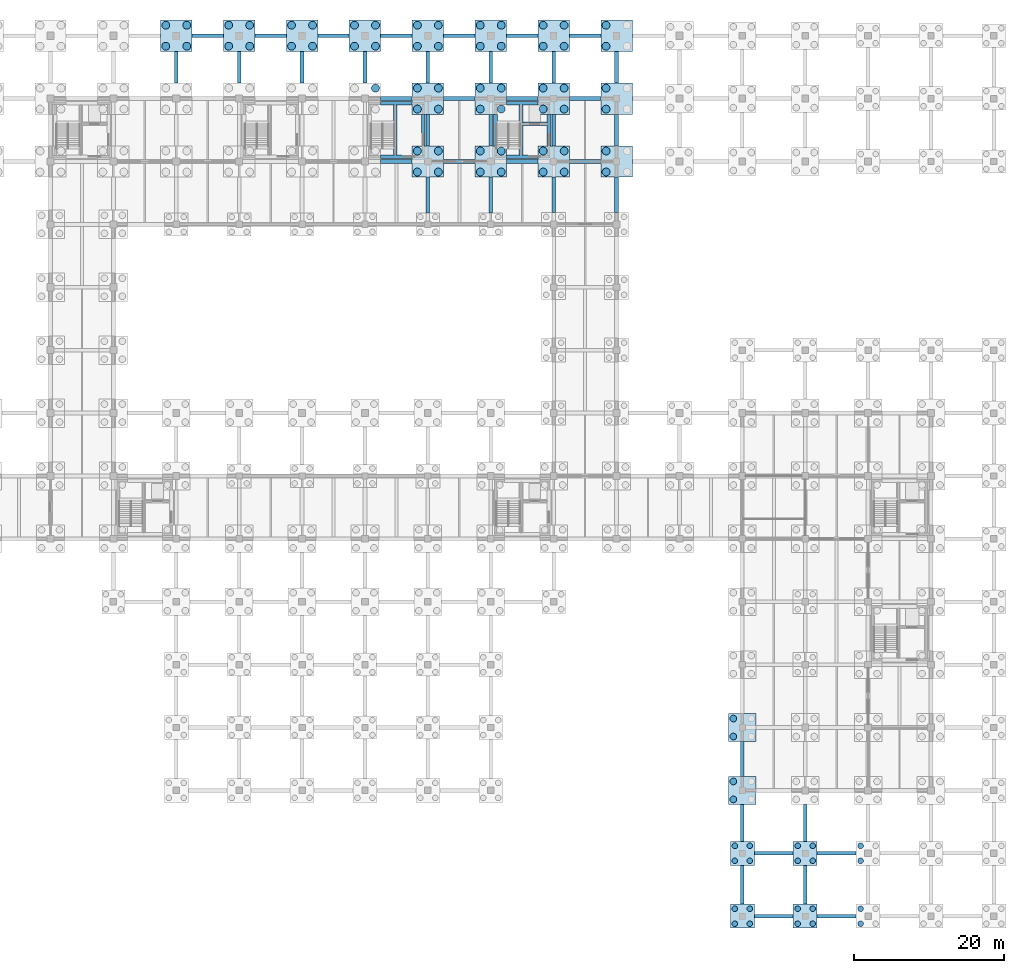
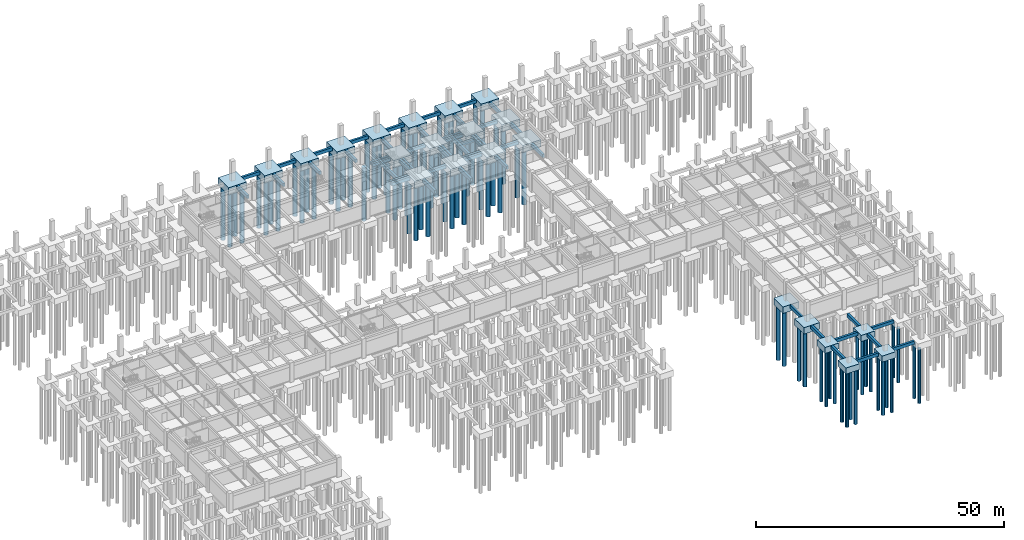
# One storey, part 8 of 29: 83 piles, 72 footings.
"""IFC4 building model written with IfcOpenShell, lengths in metres."""

from ifc_helpers import new_model, si_unit, direction, frame, origin, origin_2d, place, context, subcontext, project, spatial, rectangle, circle, extrude, material, material_profile, profile_set, type_object, element, save


model = new_model("IFC4")

# Units and contexts
model_context = context("Model", 3, precision=1e-05, world=origin(), true_north=direction((0.0, 1.0)))
body_context = subcontext(model_context, "Body", "Model", "MODEL_VIEW")
ifc_project = project(units=[si_unit("LENGTHUNIT", "METRE"), si_unit("AREAUNIT", "SQUARE_METRE"), si_unit("VOLUMEUNIT", "CUBIC_METRE"), si_unit("PLANEANGLEUNIT", "RADIAN"), si_unit("MASSUNIT", "GRAM", prefix="KILO")], contexts=[model_context])

# Site, building, storey
site_placement = place(None, origin())
site = spatial("IfcSite", under=ifc_project, at=site_placement, CompositionType="ELEMENT")
building_placement = place(site_placement, origin())
building = spatial("IfcBuilding", under=site, at=building_placement, Name="Porcellanite Civic Hall", CompositionType="ELEMENT")
storey_placement = place(building_placement, frame((0.0, 0.0, -4.5)))
storey = spatial("IfcBuildingStorey", under=building, at=storey_placement, Name="B1", CompositionType="ELEMENT", Elevation=-4.5)

# Footings
ifc_material_1 = material(Name="Concrete N40 (40 MPa)", Category="concrete")
ifc_material_profile_1 = material_profile(ifc_material_1, rectangle(XDim=0.5, YDim=0.800048828125, at=origin_2d()), Name="RC-500x800")
ifc_profile_set_1 = profile_set([ifc_material_profile_1], Name="Concrete N40 (40 MPa)")
footing_type_1 = type_object("IfcFootingType", Name="GB-01", PredefinedType="FOOTING_BEAM", material=ifc_profile_set_1)
for number, where, z_axis, x_axis, name in (
    (1, (67.199951171875, 111.300048828125, -0.75), (0.0, 1.0, 0.0), (-1.0, 0.0, 0.0), "Ground tie beam B1 8-13 Y"),
    (2, (69.300048828125, 117.60009765625, -0.75), (1.0, 0.0, 0.0), (0.0, 1.0, 0.0), "Ground tie beam B1 8-14 X"),
    (3, (75.60009765625, 111.300048828125, -0.75), (0.0, 1.0, 0.0), (-1.0, 0.0, 0.0), "Ground tie beam B1 9-13 Y"),
    (4, (77.699951171875, 117.60009765625, -0.75), (1.0, 0.0, 0.0), (0.0, 1.0, 0.0), "Ground tie beam B1 9-14 X"),
    (5, (84.0, 111.300048828125, -0.75), (0.0, 1.0, 0.0), (-1.0, 0.0, 0.0), "Ground tie beam B1 10-13 Y"),
    (6, (86.10009765625, 117.60009765625, -0.75), (1.0, 0.0, 0.0), (0.0, 1.0, 0.0), "Ground tie beam B1 10-14 X"),
    (7, (94.5, 100.800048828125, -0.75), (1.0, 0.0, 0.0), (0.0, 1.0, 0.0), "Ground tie beam B1 11-12 X"),
    (8, (94.5, 109.199951171875, -0.75), (1.0, 0.0, 0.0), (0.0, 1.0, 0.0), "Ground tie beam B1 11-13 X"),
    (9, (92.39990234375, 111.300048828125, -0.75), (0.0, 1.0, 0.0), (-1.0, 0.0, 0.0), "Ground tie beam B1 11-13 Y"),
    (10, (94.5, 117.60009765625, -0.75), (1.0, 0.0, 0.0), (0.0, 1.0, 0.0), "Ground tie beam B1 11-14 X"),
):
    element("IfcFooting", number, at=place(storey_placement, frame(where, z_axis=z_axis, x_axis=x_axis)), inside=storey, type_object=footing_type_1, Name=name, PredefinedType="FOOTING_BEAM", context=body_context, shape_type="SweptSolid", body=[
        extrude(rectangle(XDim=0.5, YDim=0.800048828125, at=origin_2d()), origin(), (0.0, 0.0, 1.0), 4.199951171875),
    ])
footing_1_placement = place(storey_placement, frame((100.800048828125, 93.949951171875, -0.75), z_axis=(0.0, 1.0, 0.0), x_axis=(-1.0, 0.0, 0.0)))
element("IfcFooting", 11, at=footing_1_placement, inside=storey, type_object=footing_type_1, Name="Ground tie beam B1 12-11 Y", PredefinedType="FOOTING_BEAM", context=body_context, shape_type="SweptSolid", body=[
    extrude(rectangle(XDim=0.5, YDim=0.800048828125, at=origin_2d()), origin(), (0.0, 0.0, 1.0), 4.75),
])
for number, where, z_axis, x_axis, name in (
    (12, (102.89990234375, 100.800048828125, -0.75), (1.0, 0.0, 0.0), (0.0, 1.0, 0.0), "Ground tie beam B1 12-12 X"),
    (13, (100.800048828125, 102.89990234375, -0.75), (0.0, 1.0, 0.0), (-1.0, 0.0, 0.0), "Ground tie beam B1 12-12 Y"),
    (14, (102.89990234375, 109.199951171875, -0.75), (1.0, 0.0, 0.0), (0.0, 1.0, 0.0), "Ground tie beam B1 12-13 X"),
):
    element("IfcFooting", number, at=place(storey_placement, frame(where, z_axis=z_axis, x_axis=x_axis)), inside=storey, type_object=footing_type_1, Name=name, PredefinedType="FOOTING_BEAM", context=body_context, shape_type="SweptSolid", body=[
        extrude(rectangle(XDim=0.5, YDim=0.800048828125, at=origin_2d()), origin(), (0.0, 0.0, 1.0), 4.2001953125),
    ])
footing_2_placement = place(storey_placement, frame((100.800048828125, 111.300048828125, -0.75), z_axis=(0.0, 1.0, 0.0), x_axis=(-1.0, 0.0, 0.0)))
element("IfcFooting", 15, at=footing_2_placement, inside=storey, type_object=footing_type_1, Name="Ground tie beam B1 12-13 Y", PredefinedType="FOOTING_BEAM", context=body_context, shape_type="SweptSolid", body=[
    extrude(rectangle(XDim=0.5, YDim=0.800048828125, at=origin_2d()), origin(), (0.0, 0.0, 1.0), 4.199951171875),
])
footing_3_placement = place(storey_placement, frame((102.89990234375, 117.60009765625, -0.75), z_axis=(1.0, 0.0, 0.0), x_axis=(0.0, 1.0, 0.0)))
element("IfcFooting", 16, at=footing_3_placement, inside=storey, type_object=footing_type_1, Name="Ground tie beam B1 12-14 X", PredefinedType="FOOTING_BEAM", context=body_context, shape_type="SweptSolid", body=[
    extrude(rectangle(XDim=0.5, YDim=0.800048828125, at=origin_2d()), origin(), (0.0, 0.0, 1.0), 4.2001953125),
])
footing_4_placement = place(storey_placement, frame((109.199951171875, 93.949951171875, -0.75), z_axis=(0.0, 1.0, 0.0), x_axis=(-1.0, 0.0, 0.0)))
element("IfcFooting", 17, at=footing_4_placement, inside=storey, type_object=footing_type_1, Name="Ground tie beam B1 13-11 Y", PredefinedType="FOOTING_BEAM", context=body_context, shape_type="SweptSolid", body=[
    extrude(rectangle(XDim=0.5, YDim=0.800048828125, at=origin_2d()), origin(), (0.0, 0.0, 1.0), 4.75),
])
footing_5_placement = place(storey_placement, frame((111.300048828125, 100.800048828125, -0.75), z_axis=(1.0, 0.0, 0.0), x_axis=(0.0, 1.0, 0.0)))
element("IfcFooting", 18, at=footing_5_placement, inside=storey, type_object=footing_type_1, Name="Ground tie beam B1 13-12 X", PredefinedType="FOOTING_BEAM", context=body_context, shape_type="SweptSolid", body=[
    extrude(rectangle(XDim=0.5, YDim=0.800048828125, at=origin_2d()), origin(), (0.0, 0.0, 1.0), 4.199951171875),
])
footing_6_placement = place(storey_placement, frame((109.199951171875, 102.89990234375, -0.75), z_axis=(0.0, 1.0, 0.0), x_axis=(-1.0, 0.0, 0.0)))
element("IfcFooting", 19, at=footing_6_placement, inside=storey, type_object=footing_type_1, Name="Ground tie beam B1 13-12 Y", PredefinedType="FOOTING_BEAM", context=body_context, shape_type="SweptSolid", body=[
    extrude(rectangle(XDim=0.5, YDim=0.800048828125, at=origin_2d()), origin(), (0.0, 0.0, 1.0), 4.2001953125),
])
for number, where, z_axis, x_axis, name in (
    (20, (111.300048828125, 109.199951171875, -0.75), (1.0, 0.0, 0.0), (0.0, 1.0, 0.0), "Ground tie beam B1 13-13 X"),
    (21, (109.199951171875, 111.300048828125, -0.75), (0.0, 1.0, 0.0), (-1.0, 0.0, 0.0), "Ground tie beam B1 13-13 Y"),
    (22, (111.300048828125, 117.60009765625, -0.75), (1.0, 0.0, 0.0), (0.0, 1.0, 0.0), "Ground tie beam B1 13-14 X"),
):
    element("IfcFooting", number, at=place(storey_placement, frame(where, z_axis=z_axis, x_axis=x_axis)), inside=storey, type_object=footing_type_1, Name=name, PredefinedType="FOOTING_BEAM", context=body_context, shape_type="SweptSolid", body=[
        extrude(rectangle(XDim=0.5, YDim=0.800048828125, at=origin_2d()), origin(), (0.0, 0.0, 1.0), 4.199951171875),
    ])
footing_7_placement = place(storey_placement, frame((117.60009765625, 94.0, -0.75), z_axis=(0.0, 1.0, 0.0), x_axis=(-1.0, 0.0, 0.0)))
element("IfcFooting", 23, at=footing_7_placement, inside=storey, type_object=footing_type_1, Name="Ground tie beam B1 14-11 Y", PredefinedType="FOOTING_BEAM", context=body_context, shape_type="SweptSolid", body=[
    extrude(rectangle(XDim=0.5, YDim=0.800048828125, at=origin_2d()), origin(), (0.0, 0.0, 1.0), 4.699951171875),
])
footing_8_placement = place(storey_placement, frame((119.699951171875, 100.800048828125, -0.75), z_axis=(1.0, 0.0, 0.0), x_axis=(0.0, 1.0, 0.0)))
element("IfcFooting", 24, at=footing_8_placement, inside=storey, type_object=footing_type_1, Name="Ground tie beam B1 14-12 X", PredefinedType="FOOTING_BEAM", context=body_context, shape_type="SweptSolid", body=[
    extrude(rectangle(XDim=0.5, YDim=0.800048828125, at=origin_2d()), origin(), (0.0, 0.0, 1.0), 4.199951171875),
])
footing_9_placement = place(storey_placement, frame((117.60009765625, 102.89990234375, -0.75), z_axis=(0.0, 1.0, 0.0), x_axis=(-1.0, 0.0, 0.0)))
element("IfcFooting", 25, at=footing_9_placement, inside=storey, type_object=footing_type_1, Name="Ground tie beam B1 14-12 Y", PredefinedType="FOOTING_BEAM", context=body_context, shape_type="SweptSolid", body=[
    extrude(rectangle(XDim=0.5, YDim=0.800048828125, at=origin_2d()), origin(), (0.0, 0.0, 1.0), 4.2001953125),
])
for number, where, z_axis, x_axis, name in (
    (26, (119.699951171875, 109.199951171875, -0.75), (1.0, 0.0, 0.0), (0.0, 1.0, 0.0), "Ground tie beam B1 14-13 X"),
    (27, (117.60009765625, 111.300048828125, -0.75), (0.0, 1.0, 0.0), (-1.0, 0.0, 0.0), "Ground tie beam B1 14-13 Y"),
    (28, (119.699951171875, 117.60009765625, -0.75), (1.0, 0.0, 0.0), (0.0, 1.0, 0.0), "Ground tie beam B1 14-14 X"),
):
    element("IfcFooting", number, at=place(storey_placement, frame(where, z_axis=z_axis, x_axis=x_axis)), inside=storey, type_object=footing_type_1, Name=name, PredefinedType="FOOTING_BEAM", context=body_context, shape_type="SweptSolid", body=[
        extrude(rectangle(XDim=0.5, YDim=0.800048828125, at=origin_2d()), origin(), (0.0, 0.0, 1.0), 4.199951171875),
    ])
footing_10_placement = place(storey_placement, frame((126.0, 94.0, -0.75), z_axis=(0.0, 1.0, 0.0), x_axis=(-1.0, 0.0, 0.0)))
element("IfcFooting", 29, at=footing_10_placement, inside=storey, type_object=footing_type_1, Name="Ground tie beam B1 15-11 Y", PredefinedType="FOOTING_BEAM", context=body_context, shape_type="SweptSolid", body=[
    extrude(rectangle(XDim=0.5, YDim=0.800048828125, at=origin_2d()), origin(), (0.0, 0.0, 1.0), 4.699951171875),
])
footing_11_placement = place(storey_placement, frame((126.0, 102.89990234375, -0.75), z_axis=(0.0, 1.0, 0.0), x_axis=(-1.0, 0.0, 0.0)))
element("IfcFooting", 30, at=footing_11_placement, inside=storey, type_object=footing_type_1, Name="Ground tie beam B1 15-12 Y", PredefinedType="FOOTING_BEAM", context=body_context, shape_type="SweptSolid", body=[
    extrude(rectangle(XDim=0.5, YDim=0.800048828125, at=origin_2d()), origin(), (0.0, 0.0, 1.0), 4.2001953125),
])
footing_12_placement = place(storey_placement, frame((126.0, 111.300048828125, -0.75), z_axis=(0.0, 1.0, 0.0), x_axis=(-1.0, 0.0, 0.0)))
element("IfcFooting", 31, at=footing_12_placement, inside=storey, type_object=footing_type_1, Name="Ground tie beam B1 15-13 Y", PredefinedType="FOOTING_BEAM", context=body_context, shape_type="SweptSolid", body=[
    extrude(rectangle(XDim=0.5, YDim=0.800048828125, at=origin_2d()), origin(), (0.0, 0.0, 1.0), 4.199951171875),
])
footing_13_placement = place(storey_placement, frame((144.39990234375, 0.0, -0.75), z_axis=(1.0, 0.0, 0.0), x_axis=(0.0, 1.0, 0.0)))
element("IfcFooting", 32, at=footing_13_placement, inside=storey, type_object=footing_type_1, Name="Ground tie beam B1 17-0 X", PredefinedType="FOOTING_BEAM", context=body_context, shape_type="SweptSolid", body=[
    extrude(rectangle(XDim=0.5, YDim=0.800048828125, at=origin_2d()), origin(), (0.0, 0.0, 1.0), 5.2001953125),
])
footing_14_placement = place(storey_placement, frame((142.800048828125, 1.60009765625, -0.75), z_axis=(0.0, 1.0, 0.0), x_axis=(-1.0, 0.0, 0.0)))
element("IfcFooting", 33, at=footing_14_placement, inside=storey, type_object=footing_type_1, Name="Ground tie beam B1 17-0 Y", PredefinedType="FOOTING_BEAM", context=body_context, shape_type="SweptSolid", body=[
    extrude(rectangle(XDim=0.5, YDim=0.800048828125, at=origin_2d()), origin(), (0.0, 0.0, 1.0), 5.199951171875),
])
footing_15_placement = place(storey_placement, frame((144.39990234375, 8.39990234375, -0.75), z_axis=(1.0, 0.0, 0.0), x_axis=(0.0, 1.0, 0.0)))
element("IfcFooting", 34, at=footing_15_placement, inside=storey, type_object=footing_type_1, Name="Ground tie beam B1 17-1 X", PredefinedType="FOOTING_BEAM", context=body_context, shape_type="SweptSolid", body=[
    extrude(rectangle(XDim=0.5, YDim=0.800048828125, at=origin_2d()), origin(), (0.0, 0.0, 1.0), 5.2001953125),
])
footing_16_placement = place(storey_placement, frame((142.800048828125, 10.0, -0.75), z_axis=(0.0, 1.0, 0.0), x_axis=(-1.0, 0.0, 0.0)))
element("IfcFooting", 35, at=footing_16_placement, inside=storey, type_object=footing_type_1, Name="Ground tie beam B1 17-1 Y", PredefinedType="FOOTING_BEAM", context=body_context, shape_type="SweptSolid", body=[
    extrude(rectangle(XDim=0.5, YDim=0.800048828125, at=origin_2d()), origin(), (0.0, 0.0, 1.0), 4.949951171875),
])
footing_17_placement = place(storey_placement, frame((142.800048828125, 18.64990234375, -0.75), z_axis=(0.0, 1.0, 0.0), x_axis=(-1.0, 0.0, 0.0)))
element("IfcFooting", 36, at=footing_17_placement, inside=storey, type_object=footing_type_1, Name="Ground tie beam B1 17-2 Y", PredefinedType="FOOTING_BEAM", context=body_context, shape_type="SweptSolid", body=[
    extrude(rectangle(XDim=0.5, YDim=0.800048828125, at=origin_2d()), origin(), (0.0, 0.0, 1.0), 4.7001953125),
])
for number, where, z_axis, x_axis, name in (
    (37, (152.800048828125, 0.0, -0.75), (1.0, 0.0, 0.0), (0.0, 1.0, 0.0), "Ground tie beam B1 18-0 X"),
    (38, (151.199951171875, 1.60009765625, -0.75), (0.0, 1.0, 0.0), (-1.0, 0.0, 0.0), "Ground tie beam B1 18-0 Y"),
    (39, (152.800048828125, 8.39990234375, -0.75), (1.0, 0.0, 0.0), (0.0, 1.0, 0.0), "Ground tie beam B1 18-1 X"),
):
    element("IfcFooting", number, at=place(storey_placement, frame(where, z_axis=z_axis, x_axis=x_axis)), inside=storey, type_object=footing_type_1, Name=name, PredefinedType="FOOTING_BEAM", context=body_context, shape_type="SweptSolid", body=[
        extrude(rectangle(XDim=0.5, YDim=0.800048828125, at=origin_2d()), origin(), (0.0, 0.0, 1.0), 5.199951171875),
    ])
footing_18_placement = place(storey_placement, frame((151.199951171875, 10.0, -0.75), z_axis=(0.0, 1.0, 0.0), x_axis=(-1.0, 0.0, 0.0)))
element("IfcFooting", 40, at=footing_18_placement, inside=storey, type_object=footing_type_1, Name="Ground tie beam B1 18-1 Y", PredefinedType="FOOTING_BEAM", context=body_context, shape_type="SweptSolid", body=[
    extrude(rectangle(XDim=0.5, YDim=0.800048828125, at=origin_2d()), origin(), (0.0, 0.0, 1.0), 4.949951171875),
])
for number, where, z_axis, x_axis, name in (
    (41, (111.300048828125, 101.429931640625, -0.75), (1.0, 0.0, 0.0), (0.0, 1.0, 0.0), "Core strip footing C4 S"),
    (42, (111.300048828125, 108.570068359375, -0.75), (1.0, 0.0, 0.0), (0.0, 1.0, 0.0), "Core strip footing C4 N"),
):
    element("IfcFooting", number, at=place(storey_placement, frame(where, z_axis=z_axis, x_axis=x_axis)), inside=storey, type_object=footing_type_1, Name=name, PredefinedType="FOOTING_BEAM", context=body_context, shape_type="SweptSolid", body=[
        extrude(rectangle(XDim=0.5, YDim=0.800048828125, at=origin_2d()), origin(), (0.0, 0.0, 1.0), 4.199951171875),
    ])
for number, where, z_axis, x_axis, name in (
    (43, (109.830078125, 102.89990234375, -0.75), (0.0, 1.0, 0.0), (-1.0, 0.0, 0.0), "Core strip footing C4 W"),
    (44, (116.969970703125, 102.89990234375, -0.75), (0.0, 1.0, 0.0), (-1.0, 0.0, 0.0), "Core strip footing C4 E"),
):
    element("IfcFooting", number, at=place(storey_placement, frame(where, z_axis=z_axis, x_axis=x_axis)), inside=storey, type_object=footing_type_1, Name=name, PredefinedType="FOOTING_BEAM", context=body_context, shape_type="SweptSolid", body=[
        extrude(rectangle(XDim=0.5, YDim=0.800048828125, at=origin_2d()), origin(), (0.0, 0.0, 1.0), 4.2001953125),
    ])
footing_19_placement = place(storey_placement, frame((113.239990234375, 101.679931640625, -0.75), z_axis=(0.0, 1.0, 0.0), x_axis=(-1.0, 0.0, 0.0)))
element("IfcFooting", 45, at=footing_19_placement, inside=storey, type_object=footing_type_1, Name="Core strip footing C4 DIV", PredefinedType="FOOTING_BEAM", context=body_context, shape_type="SweptSolid", body=[
    extrude(rectangle(XDim=0.5, YDim=0.800048828125, at=origin_2d()), origin(), (0.0, 0.0, 1.0), 6.64013671875),
])
for number, where, z_axis, x_axis, name in (
    (46, (94.5, 101.429931640625, -0.75), (1.0, 0.0, 0.0), (0.0, 1.0, 0.0), "Core strip footing S10 S"),
    (47, (94.5, 108.570068359375, -0.75), (1.0, 0.0, 0.0), (0.0, 1.0, 0.0), "Core strip footing S10 N"),
):
    element("IfcFooting", number, at=place(storey_placement, frame(where, z_axis=z_axis, x_axis=x_axis)), inside=storey, type_object=footing_type_1, Name=name, PredefinedType="FOOTING_BEAM", context=body_context, shape_type="SweptSolid", body=[
        extrude(rectangle(XDim=0.5, YDim=0.800048828125, at=origin_2d()), origin(), (0.0, 0.0, 1.0), 4.199951171875),
    ])
footing_20_placement = place(storey_placement, frame((100.169921875, 102.89990234375, -0.75), z_axis=(0.0, 1.0, 0.0), x_axis=(-1.0, 0.0, 0.0)))
element("IfcFooting", 48, at=footing_20_placement, inside=storey, type_object=footing_type_1, Name="Core strip footing S10 E", PredefinedType="FOOTING_BEAM", context=body_context, shape_type="SweptSolid", body=[
    extrude(rectangle(XDim=0.5, YDim=0.800048828125, at=origin_2d()), origin(), (0.0, 0.0, 1.0), 4.2001953125),
])
footing_21_placement = place(storey_placement, frame((96.43994140625, 101.679931640625, -0.75), z_axis=(0.0, 1.0, 0.0), x_axis=(-1.0, 0.0, 0.0)))
element("IfcFooting", 49, at=footing_21_placement, inside=storey, type_object=footing_type_1, Name="Core strip footing S10 DIV", PredefinedType="FOOTING_BEAM", context=body_context, shape_type="SweptSolid", body=[
    extrude(rectangle(XDim=0.5, YDim=0.800048828125, at=origin_2d()), origin(), (0.0, 0.0, 1.0), 6.64013671875),
])
ifc_material_2 = material(Name="Concrete N40 (40 MPa)", Category="concrete")
ifc_material_profile_2 = material_profile(ifc_material_2, rectangle(XDim=0.449951171875, YDim=0.699951171875, at=origin_2d()), Name="RC-450x700")
ifc_profile_set_2 = profile_set([ifc_material_profile_2], Name="Concrete N40 (40 MPa)")
footing_type_2 = type_object("IfcFootingType", Name="GB-03", PredefinedType="FOOTING_BEAM", material=ifc_profile_set_2)
footing_22_placement = place(storey_placement, frame((113.489990234375, 105.820068359375, -0.699951171875), z_axis=(1.0, 0.0, 0.0), x_axis=(0.0, 1.0, 0.0)))
element("IfcFooting", 50, at=footing_22_placement, inside=storey, type_object=footing_type_2, Name="Core lift wall footing C4", PredefinedType="FOOTING_BEAM", context=body_context, shape_type="SweptSolid", body=[
    extrude(rectangle(XDim=0.449951171875, YDim=0.699951171875, at=origin_2d()), origin(), (0.0, 0.0, 1.0), 3.22998046875),
])
ifc_material_3 = material(Name="Concrete N40 (40 MPa)", Category="concrete")
footing_type_3 = type_object("IfcFootingType", Name="PC-02", PredefinedType="PILE_CAP", material=ifc_material_3)
for number, where, z_axis, x_axis, name in (
    (51, (142.800048828125, 0.0, -1.85009765625), (0.0, 0.0, 1.0), (1.0, 0.0, 0.0), "Pile cap 17-0"),
    (52, (142.800048828125, 8.39990234375, -1.85009765625), (0.0, 0.0, 1.0), (1.0, 0.0, 0.0), "Pile cap 17-1"),
    (53, (151.199951171875, 0.0, -1.85009765625), (0.0, 0.0, 1.0), (1.0, 0.0, 0.0), "Pile cap 18-0"),
    (54, (151.199951171875, 8.39990234375, -1.85009765625), (0.0, 0.0, 1.0), (1.0, 0.0, 0.0), "Pile cap 18-1"),
):
    element("IfcFooting", number, at=place(storey_placement, frame(where, z_axis=z_axis, x_axis=x_axis)), inside=storey, type_object=footing_type_3, Name=name, PredefinedType="PILE_CAP", context=body_context, shape_type="SweptSolid", body=[
        extrude(rectangle(XDim=3.199951171875, YDim=3.199951171875, at=origin_2d()), origin(), (0.0, 0.0, 1.0), 1.5),
    ])
ifc_material_4 = material(Name="Concrete N40 (40 MPa)", Category="concrete")
footing_type_4 = type_object("IfcFootingType", Name="PC-03", PredefinedType="PILE_CAP", material=ifc_material_4)
for number, where, z_axis, x_axis, name in (
    (55, (142.800048828125, 16.800048828125, -1.949951171875), (0.0, 0.0, 1.0), (1.0, 0.0, 0.0), "Pile cap 17-2"),
    (56, (142.800048828125, 25.199951171875, -1.949951171875), (0.0, 0.0, 1.0), (1.0, 0.0, 0.0), "Pile cap 17-3"),
):
    element("IfcFooting", number, at=place(storey_placement, frame(where, z_axis=z_axis, x_axis=x_axis)), inside=storey, type_object=footing_type_4, Name=name, PredefinedType="PILE_CAP", context=body_context, shape_type="SweptSolid", body=[
        extrude(rectangle(XDim=3.699951171875, YDim=3.699951171875, at=origin_2d()), origin(), (0.0, 0.0, 1.0), 1.60009765625),
    ])
ifc_material_5 = material(Name="Concrete N40 (40 MPa)", Category="concrete")
footing_type_5 = type_object("IfcFootingType", Name="PC-05", PredefinedType="PILE_CAP", material=ifc_material_5)
for number, where, z_axis, x_axis, name in (
    (57, (67.199951171875, 117.60009765625, -2.14990234375), (0.0, 0.0, 1.0), (1.0, 0.0, 0.0), "Pile cap 8-14"),
    (58, (75.60009765625, 117.60009765625, -2.14990234375), (0.0, 0.0, 1.0), (1.0, 0.0, 0.0), "Pile cap 9-14"),
    (59, (84.0, 117.60009765625, -2.14990234375), (0.0, 0.0, 1.0), (1.0, 0.0, 0.0), "Pile cap 10-14"),
    (60, (92.39990234375, 117.60009765625, -2.14990234375), (0.0, 0.0, 1.0), (1.0, 0.0, 0.0), "Pile cap 11-14"),
    (61, (100.800048828125, 100.800048828125, -2.14990234375), (0.0, 0.0, 1.0), (1.0, 0.0, 0.0), "Pile cap 12-12"),
    (62, (100.800048828125, 109.199951171875, -2.14990234375), (0.0, 0.0, 1.0), (1.0, 0.0, 0.0), "Pile cap 12-13"),
    (63, (100.800048828125, 117.60009765625, -2.14990234375), (0.0, 0.0, 1.0), (1.0, 0.0, 0.0), "Pile cap 12-14"),
    (64, (109.199951171875, 100.800048828125, -2.14990234375), (0.0, 0.0, 1.0), (1.0, 0.0, 0.0), "Pile cap 13-12"),
    (65, (109.199951171875, 109.199951171875, -2.14990234375), (0.0, 0.0, 1.0), (1.0, 0.0, 0.0), "Pile cap 13-13"),
    (66, (109.199951171875, 117.60009765625, -2.14990234375), (0.0, 0.0, 1.0), (1.0, 0.0, 0.0), "Pile cap 13-14"),
    (67, (117.60009765625, 100.800048828125, -2.14990234375), (0.0, 0.0, 1.0), (1.0, 0.0, 0.0), "Pile cap 14-12"),
    (68, (117.60009765625, 109.199951171875, -2.14990234375), (0.0, 0.0, 1.0), (1.0, 0.0, 0.0), "Pile cap 14-13"),
    (69, (117.60009765625, 117.60009765625, -2.14990234375), (0.0, 0.0, 1.0), (1.0, 0.0, 0.0), "Pile cap 14-14"),
    (70, (126.0, 100.800048828125, -2.14990234375), (0.0, 0.0, 1.0), (1.0, 0.0, 0.0), "Pile cap 15-12"),
    (71, (126.0, 109.199951171875, -2.14990234375), (0.0, 0.0, 1.0), (1.0, 0.0, 0.0), "Pile cap 15-13"),
    (72, (126.0, 117.60009765625, -2.14990234375), (0.0, 0.0, 1.0), (1.0, 0.0, 0.0), "Pile cap 15-14"),
):
    element("IfcFooting", number, at=place(storey_placement, frame(where, z_axis=z_axis, x_axis=x_axis)), inside=storey, type_object=footing_type_5, Name=name, PredefinedType="PILE_CAP", context=body_context, shape_type="SweptSolid", body=[
        extrude(rectangle(XDim=4.199951171875, YDim=4.199951171875, at=origin_2d()), origin(), (0.0, 0.0, 1.0), 1.800048828125),
    ])

# Piles
ifc_material_6 = material(Name="Concrete N40 (40 MPa)", Category="concrete")
ifc_material_profile_3 = material_profile(ifc_material_6, circle(Radius=0.52490234375, at=origin_2d()), Name="PILE-D1050")
ifc_profile_set_3 = profile_set([ifc_material_profile_3], Name="Concrete N40 (40 MPa)")
pile_type_1 = type_object("IfcPileType", Name="PL-1050", PredefinedType="BORED", material=ifc_profile_set_3)
for number, where, z_axis, x_axis, name in (
    (73, (65.800048828125, 116.199951171875, -2.14990234375), (0.0, 0.0, -1.0), (1.0, 0.0, 0.0), "Bored pile 8-14-1"),
    (74, (65.800048828125, 119.0, -2.14990234375), (0.0, 0.0, -1.0), (1.0, 0.0, 0.0), "Bored pile 8-14-2"),
    (75, (68.60009765625, 116.199951171875, -2.14990234375), (0.0, 0.0, -1.0), (1.0, 0.0, 0.0), "Bored pile 8-14-3"),
    (76, (68.60009765625, 119.0, -2.14990234375), (0.0, 0.0, -1.0), (1.0, 0.0, 0.0), "Bored pile 8-14-4"),
    (77, (74.199951171875, 116.199951171875, -2.14990234375), (0.0, 0.0, -1.0), (1.0, 0.0, 0.0), "Bored pile 9-14-1"),
    (78, (74.199951171875, 119.0, -2.14990234375), (0.0, 0.0, -1.0), (1.0, 0.0, 0.0), "Bored pile 9-14-2"),
    (79, (77.0, 116.199951171875, -2.14990234375), (0.0, 0.0, -1.0), (1.0, 0.0, 0.0), "Bored pile 9-14-3"),
    (80, (77.0, 119.0, -2.14990234375), (0.0, 0.0, -1.0), (1.0, 0.0, 0.0), "Bored pile 9-14-4"),
    (81, (82.60009765625, 116.199951171875, -2.14990234375), (0.0, 0.0, -1.0), (1.0, 0.0, 0.0), "Bored pile 10-14-1"),
    (82, (82.60009765625, 119.0, -2.14990234375), (0.0, 0.0, -1.0), (1.0, 0.0, 0.0), "Bored pile 10-14-2"),
    (83, (85.39990234375, 116.199951171875, -2.14990234375), (0.0, 0.0, -1.0), (1.0, 0.0, 0.0), "Bored pile 10-14-3"),
    (84, (85.39990234375, 119.0, -2.14990234375), (0.0, 0.0, -1.0), (1.0, 0.0, 0.0), "Bored pile 10-14-4"),
    (85, (93.800048828125, 110.60009765625, -2.14990234375), (0.0, 0.0, -1.0), (1.0, 0.0, 0.0), "Bored pile 11-13-4"),
    (86, (91.0, 116.199951171875, -2.14990234375), (0.0, 0.0, -1.0), (1.0, 0.0, 0.0), "Bored pile 11-14-1"),
    (87, (91.0, 119.0, -2.14990234375), (0.0, 0.0, -1.0), (1.0, 0.0, 0.0), "Bored pile 11-14-2"),
    (88, (93.800048828125, 116.199951171875, -2.14990234375), (0.0, 0.0, -1.0), (1.0, 0.0, 0.0), "Bored pile 11-14-3"),
    (89, (93.800048828125, 119.0, -2.14990234375), (0.0, 0.0, -1.0), (1.0, 0.0, 0.0), "Bored pile 11-14-4"),
    (90, (99.39990234375, 99.39990234375, -2.14990234375), (0.0, 0.0, -1.0), (1.0, 0.0, 0.0), "Bored pile 12-12-1"),
    (91, (99.39990234375, 102.199951171875, -2.14990234375), (0.0, 0.0, -1.0), (1.0, 0.0, 0.0), "Bored pile 12-12-2"),
    (92, (102.199951171875, 99.39990234375, -2.14990234375), (0.0, 0.0, -1.0), (1.0, 0.0, 0.0), "Bored pile 12-12-3"),
    (93, (102.199951171875, 102.199951171875, -2.14990234375), (0.0, 0.0, -1.0), (1.0, 0.0, 0.0), "Bored pile 12-12-4"),
    (94, (99.39990234375, 107.800048828125, -2.14990234375), (0.0, 0.0, -1.0), (1.0, 0.0, 0.0), "Bored pile 12-13-1"),
    (95, (99.39990234375, 110.60009765625, -2.14990234375), (0.0, 0.0, -1.0), (1.0, 0.0, 0.0), "Bored pile 12-13-2"),
    (96, (102.199951171875, 107.800048828125, -2.14990234375), (0.0, 0.0, -1.0), (1.0, 0.0, 0.0), "Bored pile 12-13-3"),
    (97, (102.199951171875, 110.60009765625, -2.14990234375), (0.0, 0.0, -1.0), (1.0, 0.0, 0.0), "Bored pile 12-13-4"),
    (98, (99.39990234375, 116.199951171875, -2.14990234375), (0.0, 0.0, -1.0), (1.0, 0.0, 0.0), "Bored pile 12-14-1"),
    (99, (99.39990234375, 119.0, -2.14990234375), (0.0, 0.0, -1.0), (1.0, 0.0, 0.0), "Bored pile 12-14-2"),
    (100, (102.199951171875, 116.199951171875, -2.14990234375), (0.0, 0.0, -1.0), (1.0, 0.0, 0.0), "Bored pile 12-14-3"),
    (101, (102.199951171875, 119.0, -2.14990234375), (0.0, 0.0, -1.0), (1.0, 0.0, 0.0), "Bored pile 12-14-4"),
    (102, (107.800048828125, 99.39990234375, -2.14990234375), (0.0, 0.0, -1.0), (1.0, 0.0, 0.0), "Bored pile 13-12-1"),
    (103, (107.800048828125, 102.199951171875, -2.14990234375), (0.0, 0.0, -1.0), (1.0, 0.0, 0.0), "Bored pile 13-12-2"),
    (104, (110.60009765625, 99.39990234375, -2.14990234375), (0.0, 0.0, -1.0), (1.0, 0.0, 0.0), "Bored pile 13-12-3"),
    (105, (110.60009765625, 102.199951171875, -2.14990234375), (0.0, 0.0, -1.0), (1.0, 0.0, 0.0), "Bored pile 13-12-4"),
    (106, (107.800048828125, 107.800048828125, -2.14990234375), (0.0, 0.0, -1.0), (1.0, 0.0, 0.0), "Bored pile 13-13-1"),
    (107, (107.800048828125, 110.60009765625, -2.14990234375), (0.0, 0.0, -1.0), (1.0, 0.0, 0.0), "Bored pile 13-13-2"),
    (108, (110.60009765625, 107.800048828125, -2.14990234375), (0.0, 0.0, -1.0), (1.0, 0.0, 0.0), "Bored pile 13-13-3"),
    (109, (110.60009765625, 110.60009765625, -2.14990234375), (0.0, 0.0, -1.0), (1.0, 0.0, 0.0), "Bored pile 13-13-4"),
    (110, (107.800048828125, 116.199951171875, -2.14990234375), (0.0, 0.0, -1.0), (1.0, 0.0, 0.0), "Bored pile 13-14-1"),
    (111, (107.800048828125, 119.0, -2.14990234375), (0.0, 0.0, -1.0), (1.0, 0.0, 0.0), "Bored pile 13-14-2"),
    (112, (110.60009765625, 116.199951171875, -2.14990234375), (0.0, 0.0, -1.0), (1.0, 0.0, 0.0), "Bored pile 13-14-3"),
    (113, (110.60009765625, 119.0, -2.14990234375), (0.0, 0.0, -1.0), (1.0, 0.0, 0.0), "Bored pile 13-14-4"),
    (114, (116.199951171875, 99.39990234375, -2.14990234375), (0.0, 0.0, -1.0), (1.0, 0.0, 0.0), "Bored pile 14-12-1"),
    (115, (116.199951171875, 102.199951171875, -2.14990234375), (0.0, 0.0, -1.0), (1.0, 0.0, 0.0), "Bored pile 14-12-2"),
    (116, (119.0, 99.39990234375, -2.14990234375), (0.0, 0.0, -1.0), (1.0, 0.0, 0.0), "Bored pile 14-12-3"),
    (117, (119.0, 102.199951171875, -2.14990234375), (0.0, 0.0, -1.0), (1.0, 0.0, 0.0), "Bored pile 14-12-4"),
    (118, (116.199951171875, 107.800048828125, -2.14990234375), (0.0, 0.0, -1.0), (1.0, 0.0, 0.0), "Bored pile 14-13-1"),
    (119, (116.199951171875, 110.60009765625, -2.14990234375), (0.0, 0.0, -1.0), (1.0, 0.0, 0.0), "Bored pile 14-13-2"),
    (120, (119.0, 107.800048828125, -2.14990234375), (0.0, 0.0, -1.0), (1.0, 0.0, 0.0), "Bored pile 14-13-3"),
    (121, (119.0, 110.60009765625, -2.14990234375), (0.0, 0.0, -1.0), (1.0, 0.0, 0.0), "Bored pile 14-13-4"),
    (122, (116.199951171875, 116.199951171875, -2.14990234375), (0.0, 0.0, -1.0), (1.0, 0.0, 0.0), "Bored pile 14-14-1"),
    (123, (116.199951171875, 119.0, -2.14990234375), (0.0, 0.0, -1.0), (1.0, 0.0, 0.0), "Bored pile 14-14-2"),
    (124, (119.0, 116.199951171875, -2.14990234375), (0.0, 0.0, -1.0), (1.0, 0.0, 0.0), "Bored pile 14-14-3"),
    (125, (119.0, 119.0, -2.14990234375), (0.0, 0.0, -1.0), (1.0, 0.0, 0.0), "Bored pile 14-14-4"),
    (126, (124.60009765625, 99.39990234375, -2.14990234375), (0.0, 0.0, -1.0), (1.0, 0.0, 0.0), "Bored pile 15-12-1"),
    (127, (124.60009765625, 102.199951171875, -2.14990234375), (0.0, 0.0, -1.0), (1.0, 0.0, 0.0), "Bored pile 15-12-2"),
    (128, (124.60009765625, 107.800048828125, -2.14990234375), (0.0, 0.0, -1.0), (1.0, 0.0, 0.0), "Bored pile 15-13-1"),
    (129, (124.60009765625, 110.60009765625, -2.14990234375), (0.0, 0.0, -1.0), (1.0, 0.0, 0.0), "Bored pile 15-13-2"),
    (130, (124.60009765625, 116.199951171875, -2.14990234375), (0.0, 0.0, -1.0), (1.0, 0.0, 0.0), "Bored pile 15-14-1"),
    (131, (124.60009765625, 119.0, -2.14990234375), (0.0, 0.0, -1.0), (1.0, 0.0, 0.0), "Bored pile 15-14-2"),
):
    element("IfcPile", number, at=place(storey_placement, frame(where, z_axis=z_axis, x_axis=x_axis)), inside=storey, type_object=pile_type_1, Name=name, PredefinedType="BORED", context=body_context, shape_type="SweptSolid", body=[
        extrude(circle(Radius=0.52490234375, at=origin_2d()), origin(), (0.0, 0.0, 1.0), 13.14990234375),
    ])
ifc_material_7 = material(Name="Concrete N40 (40 MPa)", Category="concrete")
ifc_material_profile_4 = material_profile(ifc_material_7, circle(Radius=0.375, at=origin_2d()), Name="PILE-D750")
ifc_profile_set_4 = profile_set([ifc_material_profile_4], Name="Concrete N40 (40 MPa)")
pile_type_2 = type_object("IfcPileType", Name="PL-750", PredefinedType="BORED", material=ifc_profile_set_4)
for number, where, z_axis, x_axis, name in (
    (132, (141.800048828125, -1.0, -1.85009765625), (0.0, 0.0, -1.0), (1.0, 0.0, 0.0), "Bored pile 17-0-1"),
    (133, (141.800048828125, 1.0, -1.85009765625), (0.0, 0.0, -1.0), (1.0, 0.0, 0.0), "Bored pile 17-0-2"),
    (134, (143.800048828125, -1.0, -1.85009765625), (0.0, 0.0, -1.0), (1.0, 0.0, 0.0), "Bored pile 17-0-3"),
    (135, (143.800048828125, 1.0, -1.85009765625), (0.0, 0.0, -1.0), (1.0, 0.0, 0.0), "Bored pile 17-0-4"),
    (136, (141.800048828125, 7.39990234375, -1.85009765625), (0.0, 0.0, -1.0), (1.0, 0.0, 0.0), "Bored pile 17-1-1"),
    (137, (141.800048828125, 9.39990234375, -1.85009765625), (0.0, 0.0, -1.0), (1.0, 0.0, 0.0), "Bored pile 17-1-2"),
    (138, (143.800048828125, 7.39990234375, -1.85009765625), (0.0, 0.0, -1.0), (1.0, 0.0, 0.0), "Bored pile 17-1-3"),
    (139, (143.800048828125, 9.39990234375, -1.85009765625), (0.0, 0.0, -1.0), (1.0, 0.0, 0.0), "Bored pile 17-1-4"),
    (140, (150.199951171875, -1.0, -1.85009765625), (0.0, 0.0, -1.0), (1.0, 0.0, 0.0), "Bored pile 18-0-1"),
    (141, (150.199951171875, 1.0, -1.85009765625), (0.0, 0.0, -1.0), (1.0, 0.0, 0.0), "Bored pile 18-0-2"),
    (142, (152.199951171875, -1.0, -1.85009765625), (0.0, 0.0, -1.0), (1.0, 0.0, 0.0), "Bored pile 18-0-3"),
    (143, (152.199951171875, 1.0, -1.85009765625), (0.0, 0.0, -1.0), (1.0, 0.0, 0.0), "Bored pile 18-0-4"),
    (144, (150.199951171875, 7.39990234375, -1.85009765625), (0.0, 0.0, -1.0), (1.0, 0.0, 0.0), "Bored pile 18-1-1"),
    (145, (150.199951171875, 9.39990234375, -1.85009765625), (0.0, 0.0, -1.0), (1.0, 0.0, 0.0), "Bored pile 18-1-2"),
    (146, (152.199951171875, 7.39990234375, -1.85009765625), (0.0, 0.0, -1.0), (1.0, 0.0, 0.0), "Bored pile 18-1-3"),
    (147, (152.199951171875, 9.39990234375, -1.85009765625), (0.0, 0.0, -1.0), (1.0, 0.0, 0.0), "Bored pile 18-1-4"),
    (148, (158.60009765625, -1.0, -1.85009765625), (0.0, 0.0, -1.0), (1.0, 0.0, 0.0), "Bored pile 19-0-1"),
    (149, (158.60009765625, 1.0, -1.85009765625), (0.0, 0.0, -1.0), (1.0, 0.0, 0.0), "Bored pile 19-0-2"),
    (150, (158.60009765625, 7.39990234375, -1.85009765625), (0.0, 0.0, -1.0), (1.0, 0.0, 0.0), "Bored pile 19-1-1"),
    (151, (158.60009765625, 9.39990234375, -1.85009765625), (0.0, 0.0, -1.0), (1.0, 0.0, 0.0), "Bored pile 19-1-2"),
):
    element("IfcPile", number, at=place(storey_placement, frame(where, z_axis=z_axis, x_axis=x_axis)), inside=storey, type_object=pile_type_2, Name=name, PredefinedType="BORED", context=body_context, shape_type="SweptSolid", body=[
        extrude(circle(Radius=0.375, at=origin_2d()), origin(), (0.0, 0.0, 1.0), 13.449951171875),
    ])
ifc_material_8 = material(Name="Concrete N40 (40 MPa)", Category="concrete")
ifc_material_profile_5 = material_profile(ifc_material_8, circle(Radius=0.449951171875, at=origin_2d()), Name="PILE-D900")
ifc_profile_set_5 = profile_set([ifc_material_profile_5], Name="Concrete N40 (40 MPa)")
pile_type_3 = type_object("IfcPileType", Name="PL-900", PredefinedType="BORED", material=ifc_profile_set_5)
for number, where, z_axis, x_axis, name in (
    (152, (141.60009765625, 15.60009765625, -1.949951171875), (0.0, 0.0, -1.0), (1.0, 0.0, 0.0), "Bored pile 17-2-1"),
    (153, (141.60009765625, 18.0, -1.949951171875), (0.0, 0.0, -1.0), (1.0, 0.0, 0.0), "Bored pile 17-2-2"),
    (154, (141.60009765625, 24.0, -1.949951171875), (0.0, 0.0, -1.0), (1.0, 0.0, 0.0), "Bored pile 17-3-1"),
    (155, (141.60009765625, 26.39990234375, -1.949951171875), (0.0, 0.0, -1.0), (1.0, 0.0, 0.0), "Bored pile 17-3-2"),
):
    element("IfcPile", number, at=place(storey_placement, frame(where, z_axis=z_axis, x_axis=x_axis)), inside=storey, type_object=pile_type_3, Name=name, PredefinedType="BORED", context=body_context, shape_type="SweptSolid", body=[
        extrude(circle(Radius=0.449951171875, at=origin_2d()), origin(), (0.0, 0.0, 1.0), 13.35009765625),
    ])

save(model, "model.ifc")
